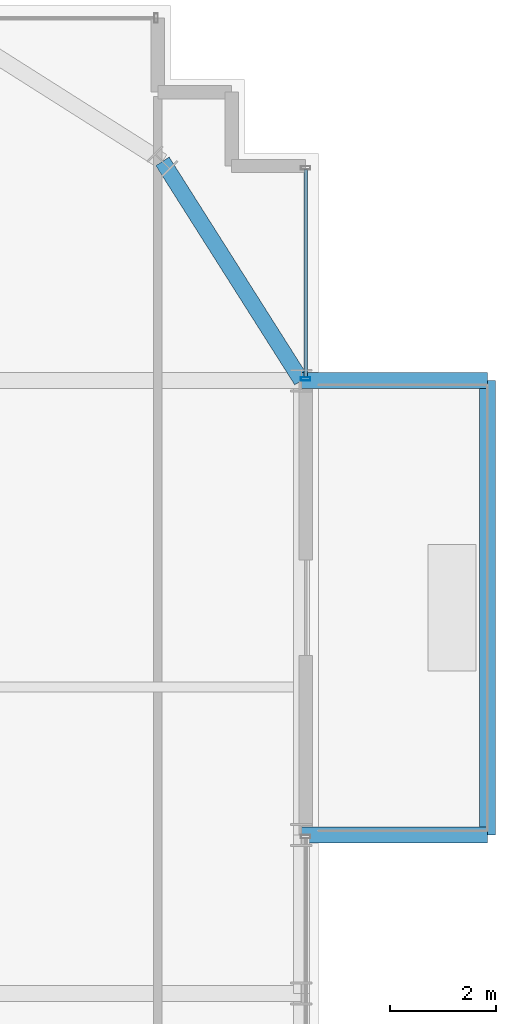
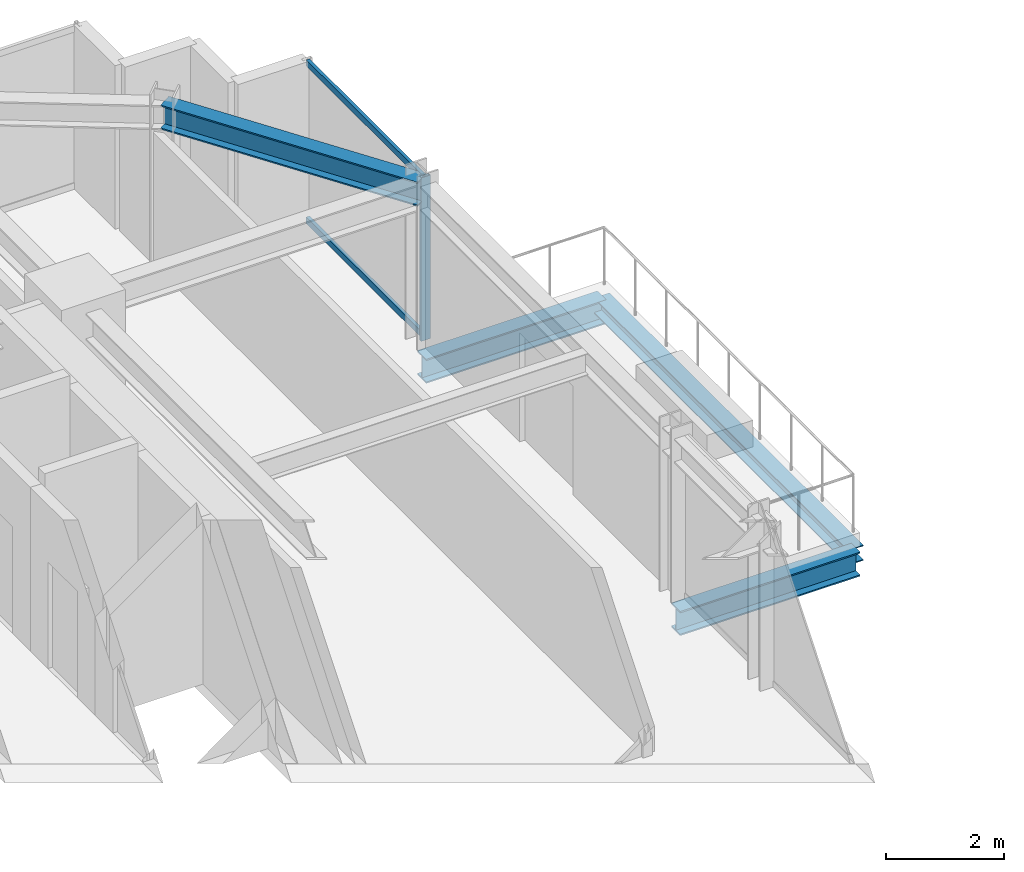
# One storey, part 23 of 32: 4 beams, 3 members, 1 element without a shape of its own.
"""IFC4 building model written with IfcOpenShell, lengths in metres."""

import ifcopenshell
import ifcopenshell.guid

model = None  # the IFC model being written
_history = None  # IfcOwnerHistory: only IFC2X3 demands one
_inside = {}  # id of a spatial element -> (the spatial element, [elements in it])
_under = {}  # id of a project, library or spatial element -> (it, [spatial elements below it])
_declared = {}  # id of a project -> (the project, [libraries it declares])
_typed = {}  # id of a type object -> (the type object, [elements of that type])
_made_of = {}  # id of a material, layer set ... -> (it, [elements and type objects made of it])


def new_model(schema):
    """Start an empty IFC model of exactly this schema.

    Asked for "IFC4X3", IfcOpenShell would pick the latest addendum, in which some entities
    have other attributes; the version numbers below select the first issue.
    IFC2X3 requires an IfcOwnerHistory on every rooted entity: one is made here for all.
    """
    global model, _history
    if schema == "IFC4X3":
        model = ifcopenshell.file(schema_version=(4, 3, 0, 0))
    else:
        model = ifcopenshell.file(schema=schema)
    _inside.clear()
    _under.clear()
    _declared.clear()
    _typed.clear()
    _made_of.clear()
    _history = None
    if model.schema == "IFC2X3":
        org = make("IfcOrganization", Name="unknown")
        user = make(
            "IfcPersonAndOrganization",
            ThePerson=make("IfcPerson", FamilyName="unknown"),
            TheOrganization=org,
        )
        app = make(
            "IfcApplication",
            ApplicationDeveloper=org,
            Version="unknown",
            ApplicationFullName="unknown",
            ApplicationIdentifier="unknown",
        )
        _history = make(
            "IfcOwnerHistory",
            OwningUser=user,
            OwningApplication=app,
            ChangeAction="ADDED",
            CreationDate=0,
        )
    return model


def make(cls, **values):
    """One entity of the class cls with the attributes given. An attribute that is None is left unset."""
    return model.create_entity(
        cls, **{name: value for name, value in values.items() if value is not None}
    )


def rooted(cls, **values):
    """An entity with a GlobalId (a new one), such as an element, a storey or a relation."""
    return make(cls, GlobalId=ifcopenshell.guid.new(), OwnerHistory=_history, **values)


def si_unit(unit_type, name, prefix=None):
    """IfcSIUnit, for example si_unit("LENGTHUNIT", "METRE", prefix="MILLI")."""
    return make("IfcSIUnit", UnitType=unit_type, Prefix=prefix, Name=name)


def assignment(units):
    """IfcUnitAssignment: the units of a project."""
    return None if units is None else make("IfcUnitAssignment", Units=units)


def point(xyz):
    """IfcCartesianPoint."""
    return None if xyz is None else make("IfcCartesianPoint", Coordinates=xyz)


def direction(xyz):
    """IfcDirection."""
    return None if xyz is None else make("IfcDirection", DirectionRatios=xyz)


def frame(location, z_axis=None, x_axis=None):
    """IfcAxis2Placement3D, a coordinate frame: its origin and axes. An axis left out is left unset."""
    return make(
        "IfcAxis2Placement3D",
        Location=point(location),
        Axis=direction(z_axis),
        RefDirection=direction(x_axis),
    )


def frame_2d(location, x_axis=None):
    """IfcAxis2Placement2D, a coordinate frame in the plane: its origin and x axis."""
    return make(
        "IfcAxis2Placement2D", Location=point(location), RefDirection=direction(x_axis)
    )


def origin():
    """The frame at (0, 0, 0) with its axes left unset."""
    return frame((0.0, 0.0, 0.0))


def origin_2d():
    """The frame at (0, 0) in the plane with its x axis left unset."""
    return frame_2d((0.0, 0.0))


def place(relative_to, where):
    """IfcLocalPlacement: puts the frame where relative to a parent placement (None: the world)."""
    return make(
        "IfcLocalPlacement", PlacementRelTo=relative_to, RelativePlacement=where
    )


def context(
    kind, dimensions, precision=None, world=None, true_north=None, identifier=None
):
    """IfcGeometricRepresentationContext, for example the 3D "Model" context."""
    return make(
        "IfcGeometricRepresentationContext",
        ContextIdentifier=identifier,
        ContextType=kind,
        CoordinateSpaceDimension=dimensions,
        Precision=precision,
        WorldCoordinateSystem=world,
        TrueNorth=true_north,
    )


def subcontext(parent, identifier, kind, view, scale=None):
    """IfcGeometricRepresentationSubContext, for example "Body" below "Model"."""
    return make(
        "IfcGeometricRepresentationSubContext",
        ContextIdentifier=identifier,
        ContextType=kind,
        ParentContext=parent,
        TargetScale=scale,
        TargetView=view,
    )


def project(units=None, contexts=None):
    """IfcProject with its units and contexts."""
    return rooted(
        "IfcProject",
        Name="project",
        RepresentationContexts=contexts,
        UnitsInContext=assignment(units),
    )


def spatial(cls, under=None, at=None, **own):
    """A site, building, storey or space (cls), placed at a placement, below another one or the project."""
    s = rooted(cls, ObjectPlacement=at, **own)
    if under is not None:
        _under.setdefault(under.id(), (under, []))[1].append(s)
    return s


def profile(cls, at=None, kind="AREA", **sizes):
    """A parametric profile (cls). Its sizes go by their IFC names, for example OverallWidth=200.0."""
    return make(cls, ProfileType=kind, Position=at, **sizes)


def hollow_rectangle(**sizes):
    """IfcRectangleHollowProfileDef."""
    return profile("IfcRectangleHollowProfileDef", **sizes)


def i_section(**sizes):
    """IfcIShapeProfileDef."""
    return profile("IfcIShapeProfileDef", **sizes)


def extrude(swept, where, along, depth):
    """IfcExtrudedAreaSolid: the profile swept, set in the frame where, extruded along a direction by depth."""
    return make(
        "IfcExtrudedAreaSolid",
        SweptArea=swept,
        Position=where,
        ExtrudedDirection=direction(along),
        Depth=depth,
    )


def shape(context_of_items, identifier, shape_type, items):
    """IfcShapeRepresentation: the items that make up one representation, for example the "Body"."""
    return make(
        "IfcShapeRepresentation",
        ContextOfItems=context_of_items,
        RepresentationIdentifier=identifier,
        RepresentationType=shape_type,
        Items=items,
    )


def source(mapping_origin, context_of_items, identifier, shape_type, items):
    """IfcRepresentationMap: a shape defined once, which mapped items show again and again."""
    return make(
        "IfcRepresentationMap",
        MappingOrigin=mapping_origin,
        MappedRepresentation=shape(context_of_items, identifier, shape_type, items),
    )


def transform(
    local_origin,
    x_axis=None,
    y_axis=None,
    z_axis=None,
    scale=None,
    scale2=None,
    scale3=None,
    uniform=True,
):
    """IfcCartesianTransformationOperator3D, or its non-uniform kind. x_axis, y_axis, z_axis: its Axis1, 2, 3."""
    if uniform:
        return make(
            "IfcCartesianTransformationOperator3D",
            Axis1=direction(x_axis),
            Axis2=direction(y_axis),
            LocalOrigin=point(local_origin),
            Scale=scale,
            Axis3=direction(z_axis),
        )
    return make(
        "IfcCartesianTransformationOperator3DnonUniform",
        Axis1=direction(x_axis),
        Axis2=direction(y_axis),
        LocalOrigin=point(local_origin),
        Scale=scale,
        Axis3=direction(z_axis),
        Scale2=scale2,
        Scale3=scale3,
    )


def mapped(mapping_source, mapping_target):
    """IfcMappedItem: shows the shape of a source again, moved by a transform."""
    return make(
        "IfcMappedItem", MappingSource=mapping_source, MappingTarget=mapping_target
    )


def material(Name=None, Category=None):
    """IfcMaterial."""
    return make("IfcMaterial", Name=Name, Category=Category)


def material_profile(
    of_material, cross_section, Name=None, Category=None, Priority=None
):
    """IfcMaterialProfile: a cross section and its material."""
    return make(
        "IfcMaterialProfile",
        Name=Name,
        Material=of_material,
        Profile=cross_section,
        Priority=Priority,
        Category=Category,
    )


def profile_set(profiles, Name=None, composite=None):
    """IfcMaterialProfileSet."""
    return make(
        "IfcMaterialProfileSet",
        Name=Name,
        MaterialProfiles=profiles,
        CompositeProfile=composite,
    )


def made_of(thing, what):
    """Note that an element or type object is made of a material, layer set ...; save() writes the relation."""
    if what is not None:
        _made_of.setdefault(what.id(), (what, []))[1].append(thing)
    return thing


def type_object(cls, material=None, **own):
    """A type object (cls), such as IfcWallType, which elements share."""
    return made_of(rooted(cls, **own), material)


def element(
    cls,
    number,
    at=None,
    inside=None,
    cuts=None,
    type_object=None,
    material=None,
    context=None,
    identifier="Body",
    shape_type=None,
    held_by="IfcProductDefinitionShape",
    body=None,
    shapes=None,
    **own,
):
    """One element of the class cls, such as IfcWall. Its Tag is "e" and its number.

    at: its placement. inside: the storey or other place that contains it. cuts: it is an
    opening in that element (IfcRelVoidsElement). A single representation is given by context,
    identifier, shape_type and body (its items); several are given by shapes. held_by: the class
    of the entity that holds the representations. save() writes the other relations.
    """
    e = rooted(cls, Tag="e%d" % number, ObjectPlacement=at, **own)
    if body is not None:
        shapes = [shape(context, identifier, shape_type, body)]
    if shapes is not None:
        e.Representation = make(held_by, Representations=shapes)
    if inside is not None:
        _inside.setdefault(inside.id(), (inside, []))[1].append(e)
    if cuts is not None:
        rooted(
            "IfcRelVoidsElement", RelatingBuildingElement=cuts, RelatedOpeningElement=e
        )
    if type_object is not None:
        _typed.setdefault(type_object.id(), (type_object, []))[1].append(e)
    return made_of(e, material)


def aggregate(whole, parts):
    """IfcRelAggregates: a whole, such as a stair, and the parts it consists of."""
    return rooted("IfcRelAggregates", RelatingObject=whole, RelatedObjects=parts)


def save(model, path):
    """Write the relations noted so far, then the file.

    IfcRelAggregates (storeys below a building ...), IfcRelContainedInSpatialStructure (elements
    in a storey), IfcRelDefinesByType, IfcRelAssociatesMaterial and IfcRelDeclares: one each for
    every whole, place, type object, material and project.
    """
    for whole, parts in _under.values():
        aggregate(whole, parts)
    for where, things in _inside.values():
        rooted(
            "IfcRelContainedInSpatialStructure",
            RelatedElements=things,
            RelatingStructure=where,
        )
    for kind, things in _typed.values():
        rooted("IfcRelDefinesByType", RelatedObjects=things, RelatingType=kind)
    for what, things in _made_of.values():
        rooted("IfcRelAssociatesMaterial", RelatedObjects=things, RelatingMaterial=what)
    for by, libraries in _declared.values():
        rooted("IfcRelDeclares", RelatingContext=by, RelatedDefinitions=libraries)
    model.write(path)


model = new_model("IFC4")

# Units and contexts
model_context = context("Model", 3, precision=1e-05, world=origin(), true_north=direction((0.0, 1.0)))
body_context = subcontext(model_context, "Body", "Model", "MODEL_VIEW")
ifc_project = project(units=[si_unit("LENGTHUNIT", "METRE"), si_unit("AREAUNIT", "SQUARE_METRE"), si_unit("VOLUMEUNIT", "CUBIC_METRE"), si_unit("PLANEANGLEUNIT", "RADIAN"), si_unit("MASSUNIT", "GRAM", prefix="KILO")], contexts=[model_context])

# Site, building, storey
site_placement = place(None, origin())
site = spatial("IfcSite", under=ifc_project, at=site_placement, CompositionType="ELEMENT")
building_placement = place(site_placement, origin())
building = spatial("IfcBuilding", under=site, at=building_placement, Name="Nahalor Promenade Grand Hotel", CompositionType="ELEMENT")
storey_placement = place(building_placement, frame((0.0, 0.0, 102.89990234375)))
storey = spatial("IfcBuildingStorey", under=building, at=storey_placement, Name="L25", CompositionType="ELEMENT", Elevation=102.89990234375)

# Beams
ifc_material_1 = material(Name="Steel S355JR", Category="steel")
ifc_material_profile_1 = material_profile(ifc_material_1, i_section(OverallWidth=0.3, OverallDepth=0.32, WebThickness=0.0115, FlangeThickness=0.0205, at=origin_2d()), Name="HEB 320")
ifc_profile_set_1 = profile_set([ifc_material_profile_1], Name="Steel S355JR")
beam_type_1 = type_object("IfcBeamType", Name="Beam-BalcEdge-HEB320", PredefinedType="SPANDREL", material=ifc_profile_set_1)
shared_shape_1 = source(origin(), body_context, "Body", "SweptSolid", [
    extrude(i_section(OverallWidth=0.3, OverallDepth=0.32, WebThickness=0.0115, FlangeThickness=0.0205, at=origin_2d()), origin(), (0.0, 0.0, 1.0), 8.60009765625),
])
beam_1_placement = place(storey_placement, frame((27.300048828125, 8.39990234375, -0.43994140625), z_axis=(0.0, 1.0, 0.0), x_axis=(-1.0, 0.0, 0.0)))
element("IfcBeam", 1, at=beam_1_placement, inside=storey, type_object=beam_type_1, Name="BM-L25-BC-02-F", PredefinedType="SPANDREL", context=body_context, shape_type="MappedRepresentation", body=[
    mapped(shared_shape_1, transform((0.0, 0.0, 0.0), scale=1.0)),
])
ifc_material_profile_2 = material_profile(ifc_material_1, i_section(OverallWidth=0.3, OverallDepth=0.5, WebThickness=0.0145, FlangeThickness=0.028, at=origin_2d()), Name="HEB 500")
ifc_profile_set_2 = profile_set([ifc_material_profile_2], Name="Steel S355JR")
beam_type_2 = type_object("IfcBeamType", Name="Beam-Outrigger-HEB500", PredefinedType="BEAM", material=ifc_profile_set_2)
shared_shape_2 = source(origin(), body_context, "Body", "SweptSolid", [
    extrude(i_section(OverallWidth=0.3, OverallDepth=0.5, WebThickness=0.0145, FlangeThickness=0.028, at=origin_2d()), origin(), (0.0, 0.0, 1.0), 3.52001953125),
])
for number, where, z_axis, x_axis, name in (
    (2, (23.780029296875, 8.39990234375, -0.52978515625), (1.0, 0.0, 0.0), (0.0, 1.0, 0.0), "BM-L25-BC-02-1"),
    (3, (23.780029296875, 17.0, -0.52978515625), (1.0, 0.0, 0.0), (0.0, 1.0, 0.0), "BM-L25-BC-02-2"),
):
    element("IfcBeam", number, at=place(storey_placement, frame(where, z_axis=z_axis, x_axis=x_axis)), inside=storey, type_object=beam_type_2, Name=name, PredefinedType="BEAM", context=body_context, shape_type="MappedRepresentation", body=[
        mapped(shared_shape_2, transform((0.0, 0.0, 0.0), scale=1.0)),
    ])
ifc_material_profile_3 = material_profile(ifc_material_1, i_section(OverallWidth=0.3, OverallDepth=0.5, WebThickness=0.0145, FlangeThickness=0.028, at=origin_2d()), Name="HEB 500")
ifc_profile_set_3 = profile_set([ifc_material_profile_3], Name="Steel S355JR")
beam_type_3 = type_object("IfcBeamType", Name="Beam-Spandrel-HEB500", PredefinedType="SPANDREL", material=ifc_profile_set_3)
shared_shape_3 = source(origin(), body_context, "Body", "SweptSolid", [
    extrude(i_section(OverallWidth=0.3, OverallDepth=0.5, WebThickness=0.0145, FlangeThickness=0.028, at=origin_2d()), origin(), (0.0, 0.0, 1.0), 4.9130859375),
])
beam_2_placement = place(storey_placement, frame((21.14990234375, 21.14990234375, 3.130126953125), z_axis=(0.535321591403, -0.844648325505, 0.0), x_axis=(0.844648325505, 0.535321591403, 0.0)))
element("IfcBeam", 4, at=beam_2_placement, inside=storey, type_object=beam_type_3, Name="BM-L25-SPC-NE-2", PredefinedType="SPANDREL", context=body_context, shape_type="MappedRepresentation", body=[
    mapped(shared_shape_3, transform((0.0, 0.0, 0.0), scale=1.0)),
])

# Curtain wall, members
ifc_material_2 = material(Name="Anodised Bronze Aluminium EN AW-6063 T6", Category="aluminium")
curtain_wall_type = type_object("IfcCurtainWallType", Name="CW2 Typical Hotel Flush Bronze Unitised Curtain Wall", PredefinedType="USERDEFINED", material=ifc_material_2)
curtain_wall_placement = place(storey_placement, origin())
curtain_wall = element("IfcCurtainWall", 5, at=curtain_wall_placement, inside=storey, type_object=curtain_wall_type, Name="L25 Curtain Wall CW-L25-E-3", ObjectType="UNITISED_CURTAIN_WALL", PredefinedType="USERDEFINED")
ifc_material_profile_4 = material_profile(ifc_material_2, hollow_rectangle(XDim=0.065, YDim=0.13, WallThickness=0.004, at=origin_2d()), Name="CWT 65x130x4")
ifc_profile_set_4 = profile_set([ifc_material_profile_4], Name="Anodised Bronze Aluminium EN AW-6063 T6")
member_type_1 = type_object("IfcMemberType", Name="CWT2 Typical Bronze Transom 65x130", PredefinedType="USERDEFINED", material=ifc_profile_set_4)
shared_shape_4 = source(origin(), body_context, "Body", "SweptSolid", [
    extrude(hollow_rectangle(XDim=0.065, YDim=0.13, WallThickness=0.004, at=origin_2d()), origin(), (0.0, 0.0, 1.0), 3.93017578125),
])
member_1_placement = place(storey_placement, frame((23.860107421875, 17.06494140625, 0.065185546875), z_axis=(0.0, 1.0, 0.0), x_axis=(-1.0, 0.0, 0.0)))
member_1 = element("IfcMember", 6, at=member_1_placement, type_object=member_type_1, Name="CW-L25-E-3 Transom 0-0", ObjectType="TRANSOM", PredefinedType="USERDEFINED", context=body_context, shape_type="MappedRepresentation", body=[
    mapped(shared_shape_4, transform((0.0, 0.0, 0.0), scale=1.0)),
])
member_2_placement = place(storey_placement, frame((23.860107421875, 17.06494140625, 3.315185546875), z_axis=(0.0, 1.0, 0.0), x_axis=(-1.0, 0.0, 0.0)))
member_2 = element("IfcMember", 7, at=member_2_placement, type_object=member_type_1, Name="CW-L25-E-3 Transom 0-1", ObjectType="TRANSOM", PredefinedType="USERDEFINED", context=body_context, shape_type="MappedRepresentation", body=[
    mapped(shared_shape_4, transform((0.0, 0.0, 0.0), scale=1.0)),
])
ifc_material_profile_5 = material_profile(ifc_material_2, hollow_rectangle(XDim=0.065, YDim=0.18, WallThickness=0.004, at=origin_2d()), Name="CWM 65x180x4")
ifc_profile_set_5 = profile_set([ifc_material_profile_5], Name="Anodised Bronze Aluminium EN AW-6063 T6")
member_type_2 = type_object("IfcMemberType", Name="CWM2 Typical Bronze Mullion 65x180", PredefinedType="MULLION", material=ifc_profile_set_5)
shared_shape_5 = source(origin(), body_context, "Body", "SweptSolid", [
    extrude(hollow_rectangle(XDim=0.065, YDim=0.18, WallThickness=0.004, at=origin_2d()), origin(), (0.0, 0.0, 1.0), 3.380126953125),
])
member_3_placement = place(storey_placement, frame((23.860107421875, 17.032470703125, 0.0), z_axis=(0.0, 0.0, 1.0), x_axis=(0.0, 1.0, 0.0)))
member_3 = element("IfcMember", 8, at=member_3_placement, type_object=member_type_2, Name="CW-L25-E-3 Mullion 0", PredefinedType="MULLION", context=body_context, shape_type="MappedRepresentation", body=[
    mapped(shared_shape_5, transform((0.0, 0.0, 0.0), scale=1.0)),
])
aggregate(curtain_wall, [member_3, member_1, member_2])

save(model, "model.ifc")
